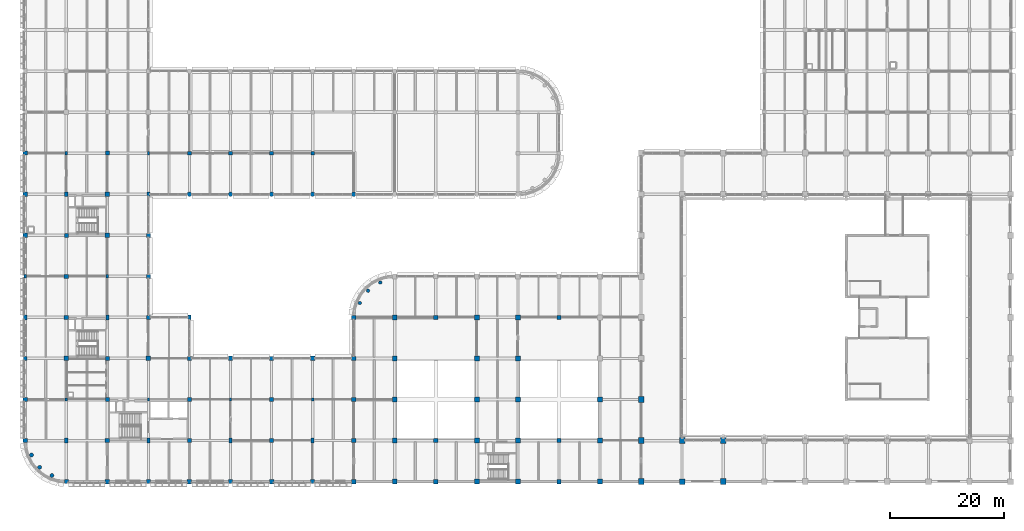
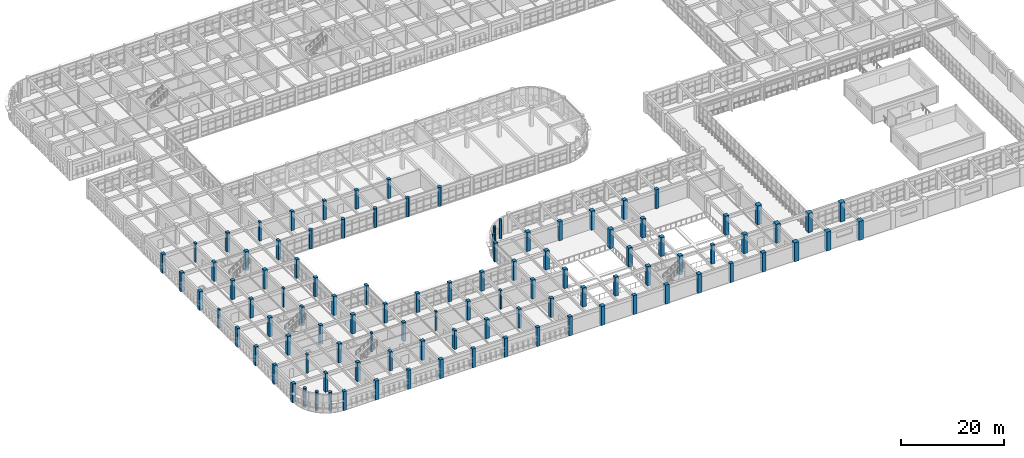
# One storey, part 1 of 171: 103 columns.
"""IFC4 building model written with IfcOpenShell, lengths in metres."""

import ifcopenshell
import ifcopenshell.guid

model = None  # the IFC model being written
_history = None  # IfcOwnerHistory: only IFC2X3 demands one
_inside = {}  # id of a spatial element -> (the spatial element, [elements in it])
_under = {}  # id of a project, library or spatial element -> (it, [spatial elements below it])
_declared = {}  # id of a project -> (the project, [libraries it declares])
_typed = {}  # id of a type object -> (the type object, [elements of that type])
_made_of = {}  # id of a material, layer set ... -> (it, [elements and type objects made of it])


def new_model(schema):
    """Start an empty IFC model of exactly this schema.

    Asked for "IFC4X3", IfcOpenShell would pick the latest addendum, in which some entities
    have other attributes; the version numbers below select the first issue.
    IFC2X3 requires an IfcOwnerHistory on every rooted entity: one is made here for all.
    """
    global model, _history
    if schema == "IFC4X3":
        model = ifcopenshell.file(schema_version=(4, 3, 0, 0))
    else:
        model = ifcopenshell.file(schema=schema)
    _inside.clear()
    _under.clear()
    _declared.clear()
    _typed.clear()
    _made_of.clear()
    _history = None
    if model.schema == "IFC2X3":
        org = make("IfcOrganization", Name="unknown")
        user = make(
            "IfcPersonAndOrganization",
            ThePerson=make("IfcPerson", FamilyName="unknown"),
            TheOrganization=org,
        )
        app = make(
            "IfcApplication",
            ApplicationDeveloper=org,
            Version="unknown",
            ApplicationFullName="unknown",
            ApplicationIdentifier="unknown",
        )
        _history = make(
            "IfcOwnerHistory",
            OwningUser=user,
            OwningApplication=app,
            ChangeAction="ADDED",
            CreationDate=0,
        )
    return model


def make(cls, **values):
    """One entity of the class cls with the attributes given. An attribute that is None is left unset."""
    return model.create_entity(
        cls, **{name: value for name, value in values.items() if value is not None}
    )


def rooted(cls, **values):
    """An entity with a GlobalId (a new one), such as an element, a storey or a relation."""
    return make(cls, GlobalId=ifcopenshell.guid.new(), OwnerHistory=_history, **values)


def si_unit(unit_type, name, prefix=None):
    """IfcSIUnit, for example si_unit("LENGTHUNIT", "METRE", prefix="MILLI")."""
    return make("IfcSIUnit", UnitType=unit_type, Prefix=prefix, Name=name)


def assignment(units):
    """IfcUnitAssignment: the units of a project."""
    return None if units is None else make("IfcUnitAssignment", Units=units)


def point(xyz):
    """IfcCartesianPoint."""
    return None if xyz is None else make("IfcCartesianPoint", Coordinates=xyz)


def direction(xyz):
    """IfcDirection."""
    return None if xyz is None else make("IfcDirection", DirectionRatios=xyz)


def frame(location, z_axis=None, x_axis=None):
    """IfcAxis2Placement3D, a coordinate frame: its origin and axes. An axis left out is left unset."""
    return make(
        "IfcAxis2Placement3D",
        Location=point(location),
        Axis=direction(z_axis),
        RefDirection=direction(x_axis),
    )


def frame_2d(location, x_axis=None):
    """IfcAxis2Placement2D, a coordinate frame in the plane: its origin and x axis."""
    return make(
        "IfcAxis2Placement2D", Location=point(location), RefDirection=direction(x_axis)
    )


def origin():
    """The frame at (0, 0, 0) with its axes left unset."""
    return frame((0.0, 0.0, 0.0))


def origin_2d():
    """The frame at (0, 0) in the plane with its x axis left unset."""
    return frame_2d((0.0, 0.0))


def place(relative_to, where):
    """IfcLocalPlacement: puts the frame where relative to a parent placement (None: the world)."""
    return make(
        "IfcLocalPlacement", PlacementRelTo=relative_to, RelativePlacement=where
    )


def context(
    kind, dimensions, precision=None, world=None, true_north=None, identifier=None
):
    """IfcGeometricRepresentationContext, for example the 3D "Model" context."""
    return make(
        "IfcGeometricRepresentationContext",
        ContextIdentifier=identifier,
        ContextType=kind,
        CoordinateSpaceDimension=dimensions,
        Precision=precision,
        WorldCoordinateSystem=world,
        TrueNorth=true_north,
    )


def subcontext(parent, identifier, kind, view, scale=None):
    """IfcGeometricRepresentationSubContext, for example "Body" below "Model"."""
    return make(
        "IfcGeometricRepresentationSubContext",
        ContextIdentifier=identifier,
        ContextType=kind,
        ParentContext=parent,
        TargetScale=scale,
        TargetView=view,
    )


def project(units=None, contexts=None):
    """IfcProject with its units and contexts."""
    return rooted(
        "IfcProject",
        Name="project",
        RepresentationContexts=contexts,
        UnitsInContext=assignment(units),
    )


def spatial(cls, under=None, at=None, **own):
    """A site, building, storey or space (cls), placed at a placement, below another one or the project."""
    s = rooted(cls, ObjectPlacement=at, **own)
    if under is not None:
        _under.setdefault(under.id(), (under, []))[1].append(s)
    return s


def profile(cls, at=None, kind="AREA", **sizes):
    """A parametric profile (cls). Its sizes go by their IFC names, for example OverallWidth=200.0."""
    return make(cls, ProfileType=kind, Position=at, **sizes)


def rectangle(**sizes):
    """IfcRectangleProfileDef."""
    return profile("IfcRectangleProfileDef", **sizes)


def circle(**sizes):
    """IfcCircleProfileDef."""
    return profile("IfcCircleProfileDef", **sizes)


def extrude(swept, where, along, depth):
    """IfcExtrudedAreaSolid: the profile swept, set in the frame where, extruded along a direction by depth."""
    return make(
        "IfcExtrudedAreaSolid",
        SweptArea=swept,
        Position=where,
        ExtrudedDirection=direction(along),
        Depth=depth,
    )


def shape(context_of_items, identifier, shape_type, items):
    """IfcShapeRepresentation: the items that make up one representation, for example the "Body"."""
    return make(
        "IfcShapeRepresentation",
        ContextOfItems=context_of_items,
        RepresentationIdentifier=identifier,
        RepresentationType=shape_type,
        Items=items,
    )


def material(Name=None, Category=None):
    """IfcMaterial."""
    return make("IfcMaterial", Name=Name, Category=Category)


def material_profile(
    of_material, cross_section, Name=None, Category=None, Priority=None
):
    """IfcMaterialProfile: a cross section and its material."""
    return make(
        "IfcMaterialProfile",
        Name=Name,
        Material=of_material,
        Profile=cross_section,
        Priority=Priority,
        Category=Category,
    )


def profile_set(profiles, Name=None, composite=None):
    """IfcMaterialProfileSet."""
    return make(
        "IfcMaterialProfileSet",
        Name=Name,
        MaterialProfiles=profiles,
        CompositeProfile=composite,
    )


def made_of(thing, what):
    """Note that an element or type object is made of a material, layer set ...; save() writes the relation."""
    if what is not None:
        _made_of.setdefault(what.id(), (what, []))[1].append(thing)
    return thing


def type_object(cls, material=None, **own):
    """A type object (cls), such as IfcWallType, which elements share."""
    return made_of(rooted(cls, **own), material)


def element(
    cls,
    number,
    at=None,
    inside=None,
    cuts=None,
    type_object=None,
    material=None,
    context=None,
    identifier="Body",
    shape_type=None,
    held_by="IfcProductDefinitionShape",
    body=None,
    shapes=None,
    **own,
):
    """One element of the class cls, such as IfcWall. Its Tag is "e" and its number.

    at: its placement. inside: the storey or other place that contains it. cuts: it is an
    opening in that element (IfcRelVoidsElement). A single representation is given by context,
    identifier, shape_type and body (its items); several are given by shapes. held_by: the class
    of the entity that holds the representations. save() writes the other relations.
    """
    e = rooted(cls, Tag="e%d" % number, ObjectPlacement=at, **own)
    if body is not None:
        shapes = [shape(context, identifier, shape_type, body)]
    if shapes is not None:
        e.Representation = make(held_by, Representations=shapes)
    if inside is not None:
        _inside.setdefault(inside.id(), (inside, []))[1].append(e)
    if cuts is not None:
        rooted(
            "IfcRelVoidsElement", RelatingBuildingElement=cuts, RelatedOpeningElement=e
        )
    if type_object is not None:
        _typed.setdefault(type_object.id(), (type_object, []))[1].append(e)
    return made_of(e, material)


def aggregate(whole, parts):
    """IfcRelAggregates: a whole, such as a stair, and the parts it consists of."""
    return rooted("IfcRelAggregates", RelatingObject=whole, RelatedObjects=parts)


def save(model, path):
    """Write the relations noted so far, then the file.

    IfcRelAggregates (storeys below a building ...), IfcRelContainedInSpatialStructure (elements
    in a storey), IfcRelDefinesByType, IfcRelAssociatesMaterial and IfcRelDeclares: one each for
    every whole, place, type object, material and project.
    """
    for whole, parts in _under.values():
        aggregate(whole, parts)
    for where, things in _inside.values():
        rooted(
            "IfcRelContainedInSpatialStructure",
            RelatedElements=things,
            RelatingStructure=where,
        )
    for kind, things in _typed.values():
        rooted("IfcRelDefinesByType", RelatedObjects=things, RelatingType=kind)
    for what, things in _made_of.values():
        rooted("IfcRelAssociatesMaterial", RelatedObjects=things, RelatingMaterial=what)
    for by, libraries in _declared.values():
        rooted("IfcRelDeclares", RelatingContext=by, RelatedDefinitions=libraries)
    model.write(path)


model = new_model("IFC4")

# Units and contexts
model_context = context("Model", 3, precision=1e-05, world=origin(), true_north=direction((0.0, 1.0)))
body_context = subcontext(model_context, "Body", "Model", "MODEL_VIEW")
ifc_project = project(units=[si_unit("LENGTHUNIT", "METRE"), si_unit("AREAUNIT", "SQUARE_METRE"), si_unit("VOLUMEUNIT", "CUBIC_METRE"), si_unit("PLANEANGLEUNIT", "RADIAN"), si_unit("MASSUNIT", "GRAM", prefix="KILO")], contexts=[model_context])

# Site, building, storey
site_placement = place(None, origin())
site = spatial("IfcSite", under=ifc_project, at=site_placement, CompositionType="ELEMENT")
building_placement = place(site_placement, origin())
building = spatial("IfcBuilding", under=site, at=building_placement, Name="Thalmaran Polytechnic", CompositionType="ELEMENT")
storey_placement = place(building_placement, frame((0.0, 0.0, 5.39990234375)))
storey = spatial("IfcBuildingStorey", under=building, at=storey_placement, Name="L01", CompositionType="ELEMENT", Elevation=5.39990234375)

# Columns
ifc_material_1 = material(Name="Concrete C50/60", Category="concrete")
ifc_material_profile_1 = material_profile(ifc_material_1, rectangle(XDim=0.85009765625, YDim=0.85009765625, at=origin_2d()), Name="RC 850x850")
ifc_profile_set_1 = profile_set([ifc_material_profile_1], Name="Concrete C50/60")
column_type_1 = type_object("IfcColumnType", Name="COL-C02", PredefinedType="COLUMN", material=ifc_profile_set_1)
for number, where, z_axis, x_axis, name in (
    (1, (64.800048828125, 0.0, 0.0), (0.0, 0.0, 1.0), (1.0, 0.0, 0.0), "Column C02 L01 (9,0)"),
    (2, (64.800048828125, 7.199951171875, 0.0), (0.0, 0.0, 1.0), (1.0, 0.0, 0.0), "Column C02 L01 (9,1)"),
    (3, (64.800048828125, 14.39990234375, 0.0), (0.0, 0.0, 1.0), (1.0, 0.0, 0.0), "Column C02 L01 (9,2)"),
    (4, (64.800048828125, 21.60009765625, 0.0), (0.0, 0.0, 1.0), (1.0, 0.0, 0.0), "Column C02 L01 (9,3)"),
    (5, (64.800048828125, 28.800048828125, 0.0), (0.0, 0.0, 1.0), (1.0, 0.0, 0.0), "Column C02 L01 (9,4)"),
    (6, (79.199951171875, 0.0, 0.0), (0.0, 0.0, 1.0), (1.0, 0.0, 0.0), "Column C02 L01 (11,0)"),
    (7, (79.199951171875, 7.199951171875, 0.0), (0.0, 0.0, 1.0), (1.0, 0.0, 0.0), "Column C02 L01 (11,1)"),
    (8, (79.199951171875, 14.39990234375, 0.0), (0.0, 0.0, 1.0), (1.0, 0.0, 0.0), "Column C02 L01 (11,2)"),
    (9, (79.199951171875, 21.60009765625, 0.0), (0.0, 0.0, 1.0), (1.0, 0.0, 0.0), "Column C02 L01 (11,3)"),
    (10, (79.199951171875, 28.800048828125, 0.0), (0.0, 0.0, 1.0), (1.0, 0.0, 0.0), "Column C02 L01 (11,4)"),
    (11, (86.39990234375, 0.0, 0.0), (0.0, 0.0, 1.0), (1.0, 0.0, 0.0), "Column C02 L01 (12,0)"),
    (12, (86.39990234375, 7.199951171875, 0.0), (0.0, 0.0, 1.0), (1.0, 0.0, 0.0), "Column C02 L01 (12,1)"),
    (13, (86.39990234375, 14.39990234375, 0.0), (0.0, 0.0, 1.0), (1.0, 0.0, 0.0), "Column C02 L01 (12,2)"),
    (14, (86.39990234375, 21.60009765625, 0.0), (0.0, 0.0, 1.0), (1.0, 0.0, 0.0), "Column C02 L01 (12,3)"),
    (15, (86.39990234375, 28.800048828125, 0.0), (0.0, 0.0, 1.0), (1.0, 0.0, 0.0), "Column C02 L01 (12,4)"),
    (16, (100.800048828125, 0.0, 0.0), (0.0, 0.0, 1.0), (1.0, 0.0, 0.0), "Column C02 L01 (14,0)"),
    (17, (100.800048828125, 7.199951171875, 0.0), (0.0, 0.0, 1.0), (1.0, 0.0, 0.0), "Column C02 L01 (14,1)"),
    (18, (100.800048828125, 14.39990234375, 0.0), (0.0, 0.0, 1.0), (1.0, 0.0, 0.0), "Column C02 L01 (14,2)"),
):
    element("IfcColumn", number, at=place(storey_placement, frame(where, z_axis=z_axis, x_axis=x_axis)), inside=storey, type_object=column_type_1, Name=name, PredefinedType="COLUMN", context=body_context, shape_type="SweptSolid", body=[
        extrude(rectangle(XDim=0.85009765625, YDim=0.85009765625, at=origin_2d()), origin(), (0.0, 0.0, 1.0), 4.5),
    ])
ifc_material_profile_2 = material_profile(ifc_material_1, rectangle(XDim=0.75, YDim=0.75, at=origin_2d()), Name="RC 750x750")
ifc_profile_set_2 = profile_set([ifc_material_profile_2], Name="Concrete C50/60")
column_type_2 = type_object("IfcColumnType", Name="COL-C04", PredefinedType="COLUMN", material=ifc_profile_set_2)
for number, where, z_axis, x_axis, name in (
    (19, (0.0, 7.199951171875, 0.0), (0.0, 0.0, 1.0), (1.0, 0.0, 0.0), "Column C04 L01 (0,1)"),
    (20, (0.0, 50.39990234375, 0.0), (0.0, 0.0, 1.0), (1.0, 0.0, 0.0), "Column C04 L01 (0,7)"),
    (21, (7.199951171875, 28.800048828125, 0.0), (0.0, 0.0, 1.0), (1.0, 0.0, 0.0), "Column C04 L01 (1,4)"),
    (22, (14.39990234375, 7.199951171875, 0.0), (0.0, 0.0, 1.0), (1.0, 0.0, 0.0), "Column C04 L01 (2,1)"),
    (23, (14.39990234375, 50.39990234375, 0.0), (0.0, 0.0, 1.0), (1.0, 0.0, 0.0), "Column C04 L01 (2,7)"),
    (24, (21.60009765625, 28.800048828125, 0.0), (0.0, 0.0, 1.0), (1.0, 0.0, 0.0), "Column C04 L01 (3,4)"),
    (25, (28.800048828125, 7.199951171875, 0.0), (0.0, 0.0, 1.0), (1.0, 0.0, 0.0), "Column C04 L01 (4,1)"),
    (26, (43.199951171875, 7.199951171875, 0.0), (0.0, 0.0, 1.0), (1.0, 0.0, 0.0), "Column C04 L01 (6,1)"),
    (27, (57.60009765625, 0.0, 0.0), (0.0, 0.0, 1.0), (1.0, 0.0, 0.0), "Column C04 L01 (8,0)"),
    (28, (57.60009765625, 7.199951171875, 0.0), (0.0, 0.0, 1.0), (1.0, 0.0, 0.0), "Column C04 L01 (8,1)"),
    (29, (57.60009765625, 14.39990234375, 0.0), (0.0, 0.0, 1.0), (1.0, 0.0, 0.0), "Column C04 L01 (8,2)"),
    (30, (57.60009765625, 21.60009765625, 0.0), (0.0, 0.0, 1.0), (1.0, 0.0, 0.0), "Column C04 L01 (8,3)"),
    (31, (57.60009765625, 28.800048828125, 0.0), (0.0, 0.0, 1.0), (1.0, 0.0, 0.0), "Column C04 L01 (8,4)"),
    (32, (72.0, 0.0, 0.0), (0.0, 0.0, 1.0), (1.0, 0.0, 0.0), "Column C04 L01 (10,0)"),
    (33, (72.0, 7.199951171875, 0.0), (0.0, 0.0, 1.0), (1.0, 0.0, 0.0), "Column C04 L01 (10,1)"),
    (34, (72.0, 28.800048828125, 0.0), (0.0, 0.0, 1.0), (1.0, 0.0, 0.0), "Column C04 L01 (10,4)"),
    (35, (93.60009765625, 0.0, 0.0), (0.0, 0.0, 1.0), (1.0, 0.0, 0.0), "Column C04 L01 (13,0)"),
    (36, (93.60009765625, 7.199951171875, 0.0), (0.0, 0.0, 1.0), (1.0, 0.0, 0.0), "Column C04 L01 (13,1)"),
    (37, (93.60009765625, 28.800048828125, 0.0), (0.0, 0.0, 1.0), (1.0, 0.0, 0.0), "Column C04 L01 (13,4)"),
):
    element("IfcColumn", number, at=place(storey_placement, frame(where, z_axis=z_axis, x_axis=x_axis)), inside=storey, type_object=column_type_2, Name=name, PredefinedType="COLUMN", context=body_context, shape_type="SweptSolid", body=[
        extrude(rectangle(XDim=0.75, YDim=0.75, at=origin_2d()), origin(), (0.0, 0.0, 1.0), 4.5),
    ])
ifc_material_profile_3 = material_profile(ifc_material_1, rectangle(XDim=0.699951171875, YDim=0.699951171875, at=origin_2d()), Name="RC 700x700")
ifc_profile_set_3 = profile_set([ifc_material_profile_3], Name="Concrete C50/60")
column_type_3 = type_object("IfcColumnType", Name="COL-C05", PredefinedType="COLUMN", material=ifc_profile_set_3)
for number, where, z_axis, x_axis, name in (
    (38, (0.0, 21.60009765625, 0.0), (0.0, 0.0, 1.0), (1.0, 0.0, 0.0), "Column C05 L01 (0,3)"),
    (39, (7.199951171875, 0.0, 0.0), (0.0, 0.0, 1.0), (1.0, 0.0, 0.0), "Column C05 L01 (1,0)"),
    (40, (7.199951171875, 43.199951171875, 0.0), (0.0, 0.0, 1.0), (1.0, 0.0, 0.0), "Column C05 L01 (1,6)"),
    (41, (14.39990234375, 21.60009765625, 0.0), (0.0, 0.0, 1.0), (1.0, 0.0, 0.0), "Column C05 L01 (2,3)"),
    (42, (21.60009765625, 0.0, 0.0), (0.0, 0.0, 1.0), (1.0, 0.0, 0.0), "Column C05 L01 (3,0)"),
    (43, (21.60009765625, 43.199951171875, 0.0), (0.0, 0.0, 1.0), (1.0, 0.0, 0.0), "Column C05 L01 (3,6)"),
    (44, (28.800048828125, 21.60009765625, 0.0), (0.0, 0.0, 1.0), (1.0, 0.0, 0.0), "Column C05 L01 (4,3)"),
    (45, (36.0, 0.0, 0.0), (0.0, 0.0, 1.0), (1.0, 0.0, 0.0), "Column C05 L01 (5,0)"),
    (46, (43.199951171875, 21.60009765625, 0.0), (0.0, 0.0, 1.0), (1.0, 0.0, 0.0), "Column C05 L01 (6,3)"),
    (47, (50.39990234375, 0.0, 0.0), (0.0, 0.0, 1.0), (1.0, 0.0, 0.0), "Column C05 L01 (7,0)"),
):
    element("IfcColumn", number, at=place(storey_placement, frame(where, z_axis=z_axis, x_axis=x_axis)), inside=storey, type_object=column_type_3, Name=name, PredefinedType="COLUMN", context=body_context, shape_type="SweptSolid", body=[
        extrude(rectangle(XDim=0.699951171875, YDim=0.699951171875, at=origin_2d()), origin(), (0.0, 0.0, 1.0), 4.5),
    ])
ifc_material_2 = material(Name="Concrete C40/50", Category="concrete")
ifc_material_profile_4 = material_profile(ifc_material_2, rectangle(XDim=0.64990234375, YDim=0.64990234375, at=origin_2d()), Name="RC 650x650")
ifc_profile_set_4 = profile_set([ifc_material_profile_4], Name="Concrete C40/50")
column_type_4 = type_object("IfcColumnType", Name="COL-C06", PredefinedType="COLUMN", material=ifc_profile_set_4)
for number, where, z_axis, x_axis, name in (
    (48, (28.800048828125, 57.60009765625, 0.0), (0.0, 0.0, 1.0), (1.0, 0.0, 0.0), "Column C06 L01 (4,8)"),
    (49, (36.0, 57.60009765625, 0.0), (0.0, 0.0, 1.0), (1.0, 0.0, 0.0), "Column C06 L01 (5,8)"),
    (50, (43.199951171875, 57.60009765625, 0.0), (0.0, 0.0, 1.0), (1.0, 0.0, 0.0), "Column C06 L01 (6,8)"),
    (51, (50.39990234375, 57.60009765625, 0.0), (0.0, 0.0, 1.0), (1.0, 0.0, 0.0), "Column C06 L01 (7,8)"),
):
    element("IfcColumn", number, at=place(storey_placement, frame(where, z_axis=z_axis, x_axis=x_axis)), inside=storey, type_object=column_type_4, Name=name, PredefinedType="COLUMN", context=body_context, shape_type="SweptSolid", body=[
        extrude(rectangle(XDim=0.64990234375, YDim=0.64990234375, at=origin_2d()), origin(), (0.0, 0.0, 1.0), 4.5),
    ])
ifc_material_profile_5 = material_profile(ifc_material_1, rectangle(XDim=0.550048828125, YDim=0.85009765625, at=origin_2d()), Name="RC 550x850")
ifc_profile_set_5 = profile_set([ifc_material_profile_5], Name="Concrete C50/60")
column_type_5 = type_object("IfcColumnType", Name="COL-C12", PredefinedType="COLUMN", material=ifc_profile_set_5)
for number, where, z_axis, x_axis, name in (
    (52, (0.0, 28.800048828125, 0.0), (0.0, 0.0, 1.0), (1.0, 0.0, 0.0), "Column C12 L01 (0,4)"),
    (53, (7.199951171875, 7.199951171875, 0.0), (0.0, 0.0, 1.0), (1.0, 0.0, 0.0), "Column C12 L01 (1,1)"),
    (54, (7.199951171875, 50.39990234375, 0.0), (0.0, 0.0, 1.0), (1.0, 0.0, 0.0), "Column C12 L01 (1,7)"),
    (55, (14.39990234375, 28.800048828125, 0.0), (0.0, 0.0, 1.0), (1.0, 0.0, 0.0), "Column C12 L01 (2,4)"),
    (56, (21.60009765625, 7.199951171875, 0.0), (0.0, 0.0, 1.0), (1.0, 0.0, 0.0), "Column C12 L01 (3,1)"),
    (57, (21.60009765625, 50.39990234375, 0.0), (0.0, 0.0, 1.0), (1.0, 0.0, 0.0), "Column C12 L01 (3,7)"),
    (58, (28.800048828125, 28.800048828125, 0.0), (0.0, 0.0, 1.0), (1.0, 0.0, 0.0), "Column C12 L01 (4,4)"),
    (59, (36.0, 7.199951171875, 0.0), (0.0, 0.0, 1.0), (1.0, 0.0, 0.0), "Column C12 L01 (5,1)"),
    (60, (50.39990234375, 7.199951171875, 0.0), (0.0, 0.0, 1.0), (1.0, 0.0, 0.0), "Column C12 L01 (7,1)"),
):
    element("IfcColumn", number, at=place(storey_placement, frame(where, z_axis=z_axis, x_axis=x_axis)), inside=storey, type_object=column_type_5, Name=name, PredefinedType="COLUMN", context=body_context, shape_type="SweptSolid", body=[
        extrude(rectangle(XDim=0.550048828125, YDim=0.85009765625, at=origin_2d()), origin(), (0.0, 0.0, 1.0), 4.5),
    ])
ifc_material_profile_6 = material_profile(ifc_material_1, circle(Radius=0.39990234375, at=origin_2d()), Name="RC 800 DIA")
ifc_profile_set_6 = profile_set([ifc_material_profile_6], Name="Concrete C50/60")
column_type_6 = type_object("IfcColumnType", Name="COL-C14", PredefinedType="COLUMN", material=ifc_profile_set_6)
for number, where, z_axis, x_axis, name in (
    (61, (28.800048828125, 50.39990234375, 0.0), (0.0, 0.0, 1.0), (1.0, 0.0, 0.0), "Column C14 L01 (4,7)"),
    (62, (36.0, 50.39990234375, 0.0), (0.0, 0.0, 1.0), (1.0, 0.0, 0.0), "Column C14 L01 (5,7)"),
    (63, (43.199951171875, 50.39990234375, 0.0), (0.0, 0.0, 1.0), (1.0, 0.0, 0.0), "Column C14 L01 (6,7)"),
    (64, (50.39990234375, 50.39990234375, 0.0), (0.0, 0.0, 1.0), (1.0, 0.0, 0.0), "Column C14 L01 (7,7)"),
    (65, (57.60009765625, 50.39990234375, 0.0), (0.0, 0.0, 1.0), (1.0, 0.0, 0.0), "Column C14 L01 (8,7)"),
):
    element("IfcColumn", number, at=place(storey_placement, frame(where, z_axis=z_axis, x_axis=x_axis)), inside=storey, type_object=column_type_6, Name=name, PredefinedType="COLUMN", context=body_context, shape_type="SweptSolid", body=[
        extrude(circle(Radius=0.39990234375, at=origin_2d()), origin(), (0.0, 0.0, 1.0), 4.5),
    ])
ifc_material_profile_7 = material_profile(ifc_material_2, circle(Radius=0.35009765625, at=origin_2d()), Name="RC 700 DIA")
ifc_profile_set_7 = profile_set([ifc_material_profile_7], Name="Concrete C40/50")
column_type_7 = type_object("IfcColumnType", Name="COL-C15", PredefinedType="COLUMN", material=ifc_profile_set_7)
for number, where, z_axis, x_axis, name in (
    (66, (1.083984375, 4.666748046875, 0.0), (0.0, 0.0, 1.0), (1.0, 0.0, 0.0), "Prow Column SWP1 L01"),
    (67, (2.51904296875, 2.51904296875, 0.0), (0.0, 0.0, 1.0), (1.0, 0.0, 0.0), "Prow Column SWP2 L01"),
    (68, (4.666748046875, 1.083984375, 0.0), (0.0, 0.0, 1.0), (1.0, 0.0, 0.0), "Prow Column SWP3 L01"),
):
    element("IfcColumn", number, at=place(storey_placement, frame(where, z_axis=z_axis, x_axis=x_axis)), inside=storey, type_object=column_type_7, Name=name, PredefinedType="COLUMN", context=body_context, shape_type="SweptSolid", body=[
        extrude(circle(Radius=0.35009765625, at=origin_2d()), origin(), (0.0, 0.0, 1.0), 4.5),
    ])
ifc_material_profile_8 = material_profile(ifc_material_2, circle(Radius=0.300048828125, at=origin_2d()), Name="RC 600 DIA")
ifc_profile_set_8 = profile_set([ifc_material_profile_8], Name="Concrete C40/50")
column_type_8 = type_object("IfcColumnType", Name="COL-C16", PredefinedType="COLUMN", material=ifc_profile_set_8)
for number, where, z_axis, x_axis, name in (
    (69, (62.2666015625, 34.916015625, 0.0), (0.0, 0.0, 1.0), (1.0, 0.0, 0.0), "Prow Column LTP1 L01"),
    (70, (60.118896484375, 33.48095703125, 0.0), (0.0, 0.0, 1.0), (1.0, 0.0, 0.0), "Prow Column LTP2 L01"),
    (71, (58.683837890625, 31.333251953125, 0.0), (0.0, 0.0, 1.0), (1.0, 0.0, 0.0), "Prow Column LTP3 L01"),
):
    element("IfcColumn", number, at=place(storey_placement, frame(where, z_axis=z_axis, x_axis=x_axis)), inside=storey, type_object=column_type_8, Name=name, PredefinedType="COLUMN", context=body_context, shape_type="SweptSolid", body=[
        extrude(circle(Radius=0.300048828125, at=origin_2d()), origin(), (0.0, 0.0, 1.0), 4.5),
    ])
ifc_material_profile_9 = material_profile(ifc_material_2, rectangle(XDim=0.39990234375, YDim=0.60009765625, at=origin_2d()), Name="RC 400x600")
ifc_profile_set_9 = profile_set([ifc_material_profile_9], Name="Concrete C40/50")
column_type_9 = type_object("IfcColumnType", Name="COL-PL2", PredefinedType="PILASTER", material=ifc_profile_set_9)
for number, where, z_axis, x_axis, name in (
    (72, (0.0, 36.0, 0.0), (0.0, 0.0, 1.0), (1.0, 0.0, 0.0), "Column PL2 L01 (0,5)"),
    (73, (7.199951171875, 14.39990234375, 0.0), (0.0, 0.0, 1.0), (1.0, 0.0, 0.0), "Column PL2 L01 (1,2)"),
    (74, (7.199951171875, 57.60009765625, 0.0), (0.0, 0.0, 1.0), (1.0, 0.0, 0.0), "Column PL2 L01 (1,8)"),
    (75, (14.39990234375, 36.0, 0.0), (0.0, 0.0, 1.0), (1.0, 0.0, 0.0), "Column PL2 L01 (2,5)"),
    (76, (21.60009765625, 14.39990234375, 0.0), (0.0, 0.0, 1.0), (1.0, 0.0, 0.0), "Column PL2 L01 (3,2)"),
    (77, (21.60009765625, 57.60009765625, 0.0), (0.0, 0.0, 1.0), (1.0, 0.0, 0.0), "Column PL2 L01 (3,8)"),
    (78, (36.0, 14.39990234375, 0.0), (0.0, 0.0, 1.0), (1.0, 0.0, 0.0), "Column PL2 L01 (5,2)"),
    (79, (50.39990234375, 14.39990234375, 0.0), (0.0, 0.0, 1.0), (1.0, 0.0, 0.0), "Column PL2 L01 (7,2)"),
):
    element("IfcColumn", number, at=place(storey_placement, frame(where, z_axis=z_axis, x_axis=x_axis)), inside=storey, type_object=column_type_9, Name=name, PredefinedType="PILASTER", context=body_context, shape_type="SweptSolid", body=[
        extrude(rectangle(XDim=0.39990234375, YDim=0.60009765625, at=origin_2d()), origin(), (0.0, 0.0, 1.0), 4.5),
    ])
ifc_material_profile_10 = material_profile(ifc_material_1, rectangle(XDim=1.0, YDim=1.0, at=origin_2d()), Name="RC 1000x1000")
ifc_profile_set_10 = profile_set([ifc_material_profile_10], Name="Concrete C50/60")
column_type_10 = type_object("IfcColumnType", Name="COL-WP1", PredefinedType="COLUMN", material=ifc_profile_set_10)
column_placement = place(storey_placement, frame((115.199951171875, 0.0, 0.0), z_axis=(0.0, 0.0, 1.0), x_axis=(1.0, 0.0, 0.0)))
element("IfcColumn", 80, at=column_placement, inside=storey, type_object=column_type_10, Name="Column WP1 L01 (16,0)", PredefinedType="COLUMN", context=body_context, shape_type="SweptSolid", body=[
    extrude(rectangle(XDim=1.0, YDim=1.0, at=origin_2d()), origin(), (0.0, 0.0, 1.0), 4.5),
])
ifc_material_profile_11 = material_profile(ifc_material_1, rectangle(XDim=0.949951171875, YDim=1.050048828125, at=origin_2d()), Name="RC 950x1050")
ifc_profile_set_11 = profile_set([ifc_material_profile_11], Name="Concrete C50/60")
column_type_11 = type_object("IfcColumnType", Name="COL-WP2", PredefinedType="COLUMN", material=ifc_profile_set_11)
for number, where, z_axis, x_axis, name in (
    (81, (108.0, 0.0, 0.0), (0.0, 0.0, 1.0), (1.0, 0.0, 0.0), "Column WP2 L01 (15,0)"),
    (82, (108.0, 7.199951171875, 0.0), (0.0, 0.0, 1.0), (1.0, 0.0, 0.0), "Column WP2 L01 (15,1)"),
    (83, (108.0, 14.39990234375, 0.0), (0.0, 0.0, 1.0), (1.0, 0.0, 0.0), "Column WP2 L01 (15,2)"),
    (84, (115.199951171875, 7.199951171875, 0.0), (0.0, 0.0, 1.0), (1.0, 0.0, 0.0), "Column WP2 L01 (16,1)"),
    (85, (122.39990234375, 0.0, 0.0), (0.0, 0.0, 1.0), (1.0, 0.0, 0.0), "Column WP2 L01 (17,0)"),
    (86, (122.39990234375, 7.199951171875, 0.0), (0.0, 0.0, 1.0), (1.0, 0.0, 0.0), "Column WP2 L01 (17,1)"),
):
    element("IfcColumn", number, at=place(storey_placement, frame(where, z_axis=z_axis, x_axis=x_axis)), inside=storey, type_object=column_type_11, Name=name, PredefinedType="COLUMN", context=body_context, shape_type="SweptSolid", body=[
        extrude(rectangle(XDim=0.949951171875, YDim=1.050048828125, at=origin_2d()), origin(), (0.0, 0.0, 1.0), 4.5),
    ])
ifc_material_profile_12 = material_profile(ifc_material_1, rectangle(XDim=0.780029296875, YDim=0.780029296875, at=origin_2d()), Name="RC 780x780")
ifc_profile_set_12 = profile_set([ifc_material_profile_12], Name="Concrete C50/60")
column_type_12 = type_object("IfcColumnType", Name="COL-ZC03", PredefinedType="COLUMN", material=ifc_profile_set_12)
for number, where, z_axis, x_axis, name in (
    (87, (0.0, 43.199951171875, 0.0), (0.0, 0.0, 1.0), (1.0, 0.0, 0.0), "Column ZC03 L01 (0,6)"),
    (88, (7.199951171875, 21.60009765625, 0.0), (0.0, 0.0, 1.0), (1.0, 0.0, 0.0), "Column ZC03 L01 (1,3)"),
    (89, (14.39990234375, 0.0, 0.0), (0.0, 0.0, 1.0), (1.0, 0.0, 0.0), "Column ZC03 L01 (2,0)"),
    (90, (14.39990234375, 43.199951171875, 0.0), (0.0, 0.0, 1.0), (1.0, 0.0, 0.0), "Column ZC03 L01 (2,6)"),
    (91, (21.60009765625, 21.60009765625, 0.0), (0.0, 0.0, 1.0), (1.0, 0.0, 0.0), "Column ZC03 L01 (3,3)"),
    (92, (28.800048828125, 0.0, 0.0), (0.0, 0.0, 1.0), (1.0, 0.0, 0.0), "Column ZC03 L01 (4,0)"),
    (93, (36.0, 21.60009765625, 0.0), (0.0, 0.0, 1.0), (1.0, 0.0, 0.0), "Column ZC03 L01 (5,3)"),
    (94, (43.199951171875, 0.0, 0.0), (0.0, 0.0, 1.0), (1.0, 0.0, 0.0), "Column ZC03 L01 (6,0)"),
    (95, (50.39990234375, 21.60009765625, 0.0), (0.0, 0.0, 1.0), (1.0, 0.0, 0.0), "Column ZC03 L01 (7,3)"),
):
    element("IfcColumn", number, at=place(storey_placement, frame(where, z_axis=z_axis, x_axis=x_axis)), inside=storey, type_object=column_type_12, Name=name, PredefinedType="COLUMN", context=body_context, shape_type="SweptSolid", body=[
        extrude(rectangle(XDim=0.780029296875, YDim=0.780029296875, at=origin_2d()), origin(), (0.0, 0.0, 1.0), 4.5),
    ])
ifc_material_profile_13 = material_profile(ifc_material_1, rectangle(XDim=0.719970703125, YDim=0.719970703125, at=origin_2d()), Name="RC 720x720")
ifc_profile_set_13 = profile_set([ifc_material_profile_13], Name="Concrete C50/60")
column_type_13 = type_object("IfcColumnType", Name="COL-ZC04", PredefinedType="COLUMN", material=ifc_profile_set_13)
for number, where, z_axis, x_axis, name in (
    (96, (0.0, 14.39990234375, 0.0), (0.0, 0.0, 1.0), (1.0, 0.0, 0.0), "Column ZC04 L01 (0,2)"),
    (97, (0.0, 57.60009765625, 0.0), (0.0, 0.0, 1.0), (1.0, 0.0, 0.0), "Column ZC04 L01 (0,8)"),
    (98, (7.199951171875, 36.0, 0.0), (0.0, 0.0, 1.0), (1.0, 0.0, 0.0), "Column ZC04 L01 (1,5)"),
    (99, (14.39990234375, 14.39990234375, 0.0), (0.0, 0.0, 1.0), (1.0, 0.0, 0.0), "Column ZC04 L01 (2,2)"),
    (100, (14.39990234375, 57.60009765625, 0.0), (0.0, 0.0, 1.0), (1.0, 0.0, 0.0), "Column ZC04 L01 (2,8)"),
    (101, (21.60009765625, 36.0, 0.0), (0.0, 0.0, 1.0), (1.0, 0.0, 0.0), "Column ZC04 L01 (3,5)"),
    (102, (28.800048828125, 14.39990234375, 0.0), (0.0, 0.0, 1.0), (1.0, 0.0, 0.0), "Column ZC04 L01 (4,2)"),
    (103, (43.199951171875, 14.39990234375, 0.0), (0.0, 0.0, 1.0), (1.0, 0.0, 0.0), "Column ZC04 L01 (6,2)"),
):
    element("IfcColumn", number, at=place(storey_placement, frame(where, z_axis=z_axis, x_axis=x_axis)), inside=storey, type_object=column_type_13, Name=name, PredefinedType="COLUMN", context=body_context, shape_type="SweptSolid", body=[
        extrude(rectangle(XDim=0.719970703125, YDim=0.719970703125, at=origin_2d()), origin(), (0.0, 0.0, 1.0), 4.5),
    ])

save(model, "model.ifc")
